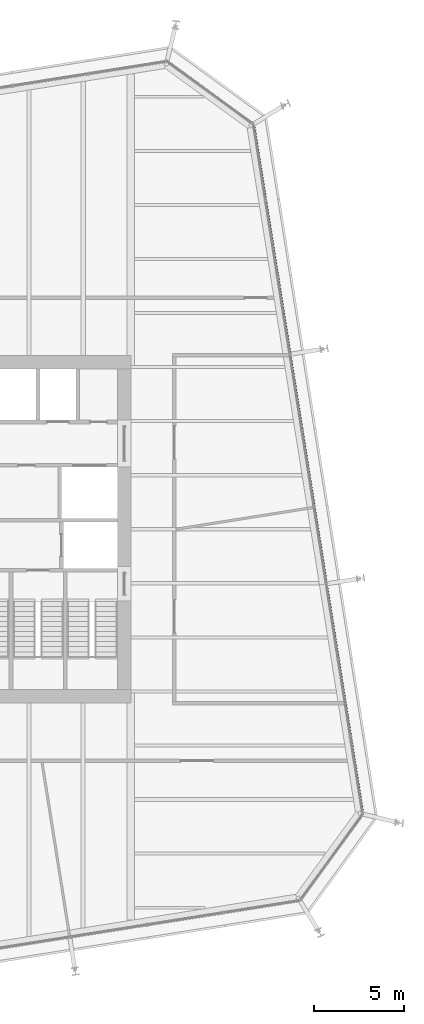
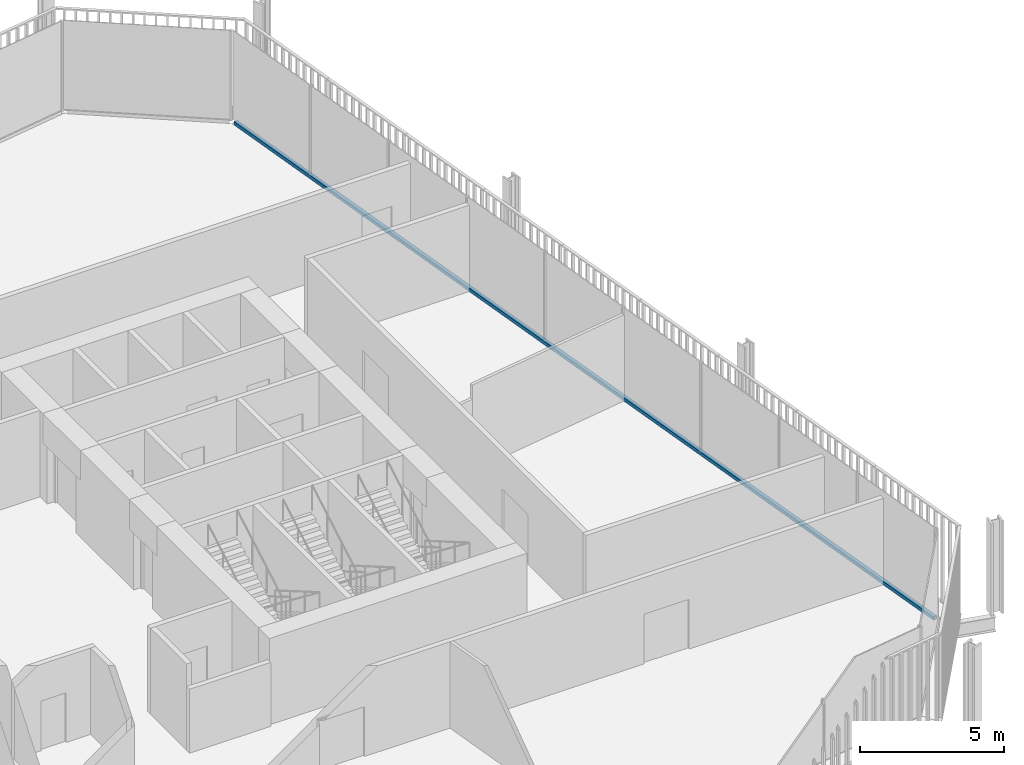
# One storey, part 14 of 21: 1 member, 1 element without a shape of its own.
"""IFC4 building model written with IfcOpenShell, lengths in metres."""

import ifcopenshell
import ifcopenshell.guid

model = None  # the IFC model being written
_history = None  # IfcOwnerHistory: only IFC2X3 demands one
_inside = {}  # id of a spatial element -> (the spatial element, [elements in it])
_under = {}  # id of a project, library or spatial element -> (it, [spatial elements below it])
_declared = {}  # id of a project -> (the project, [libraries it declares])
_typed = {}  # id of a type object -> (the type object, [elements of that type])
_made_of = {}  # id of a material, layer set ... -> (it, [elements and type objects made of it])


def new_model(schema):
    """Start an empty IFC model of exactly this schema.

    Asked for "IFC4X3", IfcOpenShell would pick the latest addendum, in which some entities
    have other attributes; the version numbers below select the first issue.
    IFC2X3 requires an IfcOwnerHistory on every rooted entity: one is made here for all.
    """
    global model, _history
    if schema == "IFC4X3":
        model = ifcopenshell.file(schema_version=(4, 3, 0, 0))
    else:
        model = ifcopenshell.file(schema=schema)
    _inside.clear()
    _under.clear()
    _declared.clear()
    _typed.clear()
    _made_of.clear()
    _history = None
    if model.schema == "IFC2X3":
        org = make("IfcOrganization", Name="unknown")
        user = make(
            "IfcPersonAndOrganization",
            ThePerson=make("IfcPerson", FamilyName="unknown"),
            TheOrganization=org,
        )
        app = make(
            "IfcApplication",
            ApplicationDeveloper=org,
            Version="unknown",
            ApplicationFullName="unknown",
            ApplicationIdentifier="unknown",
        )
        _history = make(
            "IfcOwnerHistory",
            OwningUser=user,
            OwningApplication=app,
            ChangeAction="ADDED",
            CreationDate=0,
        )
    return model


def make(cls, **values):
    """One entity of the class cls with the attributes given. An attribute that is None is left unset."""
    return model.create_entity(
        cls, **{name: value for name, value in values.items() if value is not None}
    )


def rooted(cls, **values):
    """An entity with a GlobalId (a new one), such as an element, a storey or a relation."""
    return make(cls, GlobalId=ifcopenshell.guid.new(), OwnerHistory=_history, **values)


def si_unit(unit_type, name, prefix=None):
    """IfcSIUnit, for example si_unit("LENGTHUNIT", "METRE", prefix="MILLI")."""
    return make("IfcSIUnit", UnitType=unit_type, Prefix=prefix, Name=name)


def assignment(units):
    """IfcUnitAssignment: the units of a project."""
    return None if units is None else make("IfcUnitAssignment", Units=units)


def point(xyz):
    """IfcCartesianPoint."""
    return None if xyz is None else make("IfcCartesianPoint", Coordinates=xyz)


def direction(xyz):
    """IfcDirection."""
    return None if xyz is None else make("IfcDirection", DirectionRatios=xyz)


def frame(location, z_axis=None, x_axis=None):
    """IfcAxis2Placement3D, a coordinate frame: its origin and axes. An axis left out is left unset."""
    return make(
        "IfcAxis2Placement3D",
        Location=point(location),
        Axis=direction(z_axis),
        RefDirection=direction(x_axis),
    )


def frame_2d(location, x_axis=None):
    """IfcAxis2Placement2D, a coordinate frame in the plane: its origin and x axis."""
    return make(
        "IfcAxis2Placement2D", Location=point(location), RefDirection=direction(x_axis)
    )


def origin():
    """The frame at (0, 0, 0) with its axes left unset."""
    return frame((0.0, 0.0, 0.0))


def origin_2d():
    """The frame at (0, 0) in the plane with its x axis left unset."""
    return frame_2d((0.0, 0.0))


def place(relative_to, where):
    """IfcLocalPlacement: puts the frame where relative to a parent placement (None: the world)."""
    return make(
        "IfcLocalPlacement", PlacementRelTo=relative_to, RelativePlacement=where
    )


def context(
    kind, dimensions, precision=None, world=None, true_north=None, identifier=None
):
    """IfcGeometricRepresentationContext, for example the 3D "Model" context."""
    return make(
        "IfcGeometricRepresentationContext",
        ContextIdentifier=identifier,
        ContextType=kind,
        CoordinateSpaceDimension=dimensions,
        Precision=precision,
        WorldCoordinateSystem=world,
        TrueNorth=true_north,
    )


def subcontext(parent, identifier, kind, view, scale=None):
    """IfcGeometricRepresentationSubContext, for example "Body" below "Model"."""
    return make(
        "IfcGeometricRepresentationSubContext",
        ContextIdentifier=identifier,
        ContextType=kind,
        ParentContext=parent,
        TargetScale=scale,
        TargetView=view,
    )


def project(units=None, contexts=None):
    """IfcProject with its units and contexts."""
    return rooted(
        "IfcProject",
        Name="project",
        RepresentationContexts=contexts,
        UnitsInContext=assignment(units),
    )


def spatial(cls, under=None, at=None, **own):
    """A site, building, storey or space (cls), placed at a placement, below another one or the project."""
    s = rooted(cls, ObjectPlacement=at, **own)
    if under is not None:
        _under.setdefault(under.id(), (under, []))[1].append(s)
    return s


def profile(cls, at=None, kind="AREA", **sizes):
    """A parametric profile (cls). Its sizes go by their IFC names, for example OverallWidth=200.0."""
    return make(cls, ProfileType=kind, Position=at, **sizes)


def rectangle(**sizes):
    """IfcRectangleProfileDef."""
    return profile("IfcRectangleProfileDef", **sizes)


def extrude(swept, where, along, depth):
    """IfcExtrudedAreaSolid: the profile swept, set in the frame where, extruded along a direction by depth."""
    return make(
        "IfcExtrudedAreaSolid",
        SweptArea=swept,
        Position=where,
        ExtrudedDirection=direction(along),
        Depth=depth,
    )


def shape(context_of_items, identifier, shape_type, items):
    """IfcShapeRepresentation: the items that make up one representation, for example the "Body"."""
    return make(
        "IfcShapeRepresentation",
        ContextOfItems=context_of_items,
        RepresentationIdentifier=identifier,
        RepresentationType=shape_type,
        Items=items,
    )


def material(Name=None, Category=None):
    """IfcMaterial."""
    return make("IfcMaterial", Name=Name, Category=Category)


def layer(
    of_material, thickness, ventilated=None, Name=None, Category=None, Priority=None
):
    """IfcMaterialLayer: one layer of a wall or slab, of a material (None: an air gap)."""
    return make(
        "IfcMaterialLayer",
        Material=of_material,
        LayerThickness=thickness,
        IsVentilated=ventilated,
        Name=Name,
        Category=Category,
        Priority=Priority,
    )


def layer_set(layers, Name=None):
    """IfcMaterialLayerSet."""
    return make("IfcMaterialLayerSet", MaterialLayers=layers, LayerSetName=Name)


def material_profile(
    of_material, cross_section, Name=None, Category=None, Priority=None
):
    """IfcMaterialProfile: a cross section and its material."""
    return make(
        "IfcMaterialProfile",
        Name=Name,
        Material=of_material,
        Profile=cross_section,
        Priority=Priority,
        Category=Category,
    )


def profile_set(profiles, Name=None, composite=None):
    """IfcMaterialProfileSet."""
    return make(
        "IfcMaterialProfileSet",
        Name=Name,
        MaterialProfiles=profiles,
        CompositeProfile=composite,
    )


def made_of(thing, what):
    """Note that an element or type object is made of a material, layer set ...; save() writes the relation."""
    if what is not None:
        _made_of.setdefault(what.id(), (what, []))[1].append(thing)
    return thing


def type_object(cls, material=None, **own):
    """A type object (cls), such as IfcWallType, which elements share."""
    return made_of(rooted(cls, **own), material)


def element(
    cls,
    number,
    at=None,
    inside=None,
    cuts=None,
    type_object=None,
    material=None,
    context=None,
    identifier="Body",
    shape_type=None,
    held_by="IfcProductDefinitionShape",
    body=None,
    shapes=None,
    **own,
):
    """One element of the class cls, such as IfcWall. Its Tag is "e" and its number.

    at: its placement. inside: the storey or other place that contains it. cuts: it is an
    opening in that element (IfcRelVoidsElement). A single representation is given by context,
    identifier, shape_type and body (its items); several are given by shapes. held_by: the class
    of the entity that holds the representations. save() writes the other relations.
    """
    e = rooted(cls, Tag="e%d" % number, ObjectPlacement=at, **own)
    if body is not None:
        shapes = [shape(context, identifier, shape_type, body)]
    if shapes is not None:
        e.Representation = make(held_by, Representations=shapes)
    if inside is not None:
        _inside.setdefault(inside.id(), (inside, []))[1].append(e)
    if cuts is not None:
        rooted(
            "IfcRelVoidsElement", RelatingBuildingElement=cuts, RelatedOpeningElement=e
        )
    if type_object is not None:
        _typed.setdefault(type_object.id(), (type_object, []))[1].append(e)
    return made_of(e, material)


def aggregate(whole, parts):
    """IfcRelAggregates: a whole, such as a stair, and the parts it consists of."""
    return rooted("IfcRelAggregates", RelatingObject=whole, RelatedObjects=parts)


def save(model, path):
    """Write the relations noted so far, then the file.

    IfcRelAggregates (storeys below a building ...), IfcRelContainedInSpatialStructure (elements
    in a storey), IfcRelDefinesByType, IfcRelAssociatesMaterial and IfcRelDeclares: one each for
    every whole, place, type object, material and project.
    """
    for whole, parts in _under.values():
        aggregate(whole, parts)
    for where, things in _inside.values():
        rooted(
            "IfcRelContainedInSpatialStructure",
            RelatedElements=things,
            RelatingStructure=where,
        )
    for kind, things in _typed.values():
        rooted("IfcRelDefinesByType", RelatedObjects=things, RelatingType=kind)
    for what, things in _made_of.values():
        rooted("IfcRelAssociatesMaterial", RelatedObjects=things, RelatingMaterial=what)
    for by, libraries in _declared.values():
        rooted("IfcRelDeclares", RelatingContext=by, RelatedDefinitions=libraries)
    model.write(path)


model = new_model("IFC4")

# Units and contexts
model_context = context("Model", 3, precision=1e-05, world=origin(), true_north=direction((0.0, 1.0)))
body_context = subcontext(model_context, "Body", "Model", "MODEL_VIEW")
ifc_project = project(units=[si_unit("LENGTHUNIT", "METRE"), si_unit("AREAUNIT", "SQUARE_METRE"), si_unit("VOLUMEUNIT", "CUBIC_METRE"), si_unit("PLANEANGLEUNIT", "RADIAN"), si_unit("MASSUNIT", "GRAM", prefix="KILO")], contexts=[model_context])

# Site, building, storey
site_placement = place(None, origin())
site = spatial("IfcSite", under=ifc_project, at=site_placement, CompositionType="ELEMENT")
building_placement = place(site_placement, origin())
building = spatial("IfcBuilding", under=site, at=building_placement, Name="Millrace Tower", CompositionType="ELEMENT")
storey_placement = place(building_placement, frame((0.0, 0.0, 191.699951171875)))
storey = spatial("IfcBuildingStorey", under=building, at=storey_placement, Name="L43", CompositionType="ELEMENT", Elevation=191.699951171875)

# Curtain wall, member
ifc_material_1 = material(Name="Aluminium and glass", Category="aluminium")
ifc_layer = layer(ifc_material_1, 0.14990234375)
ifc_layer_set = layer_set([ifc_layer], Name="Aluminium and glass")
curtain_wall_type = type_object("IfcCurtainWallType", Name="CW-1 office vision curtain wall", PredefinedType="NOTDEFINED", material=ifc_layer_set)
curtain_wall_placement = place(storey_placement, origin())
curtain_wall = element("IfcCurtainWall", 1, at=curtain_wall_placement, inside=storey, type_object=curtain_wall_type, Name="Curtain wall C-F04 L43", PredefinedType="NOTDEFINED")
ifc_material_2 = material(Name="Aluminium", Category="aluminium")
ifc_material_profile = material_profile(ifc_material_2, rectangle(XDim=0.14990234375, YDim=0.139892578125, at=origin_2d()))
ifc_profile_set = profile_set([ifc_material_profile], Name="Aluminium")
member_type = type_object("IfcMemberType", Name="CW-1 office vision curtain wall transom", PredefinedType="USERDEFINED", material=ifc_profile_set)
member_placement = place(storey_placement, frame((27.49609375, -15.675048828125, 0.070068359375), z_axis=(-0.156434402447, 0.987688350509, 0.0), x_axis=(-0.987688350509, -0.156434402447, 0.0)))
member = element("IfcMember", 2, at=member_placement, type_object=member_type, Name="CW1 transom C-F04.1", ObjectType="TRANSOM", PredefinedType="USERDEFINED", context=body_context, shape_type="SweptSolid", body=[
    extrude(rectangle(XDim=0.14990234375, YDim=0.139892578125, at=origin_2d()), origin(), (0.0, 0.0, 1.0), 38.499755859375),
])
aggregate(curtain_wall, [member])

save(model, "model.ifc")
